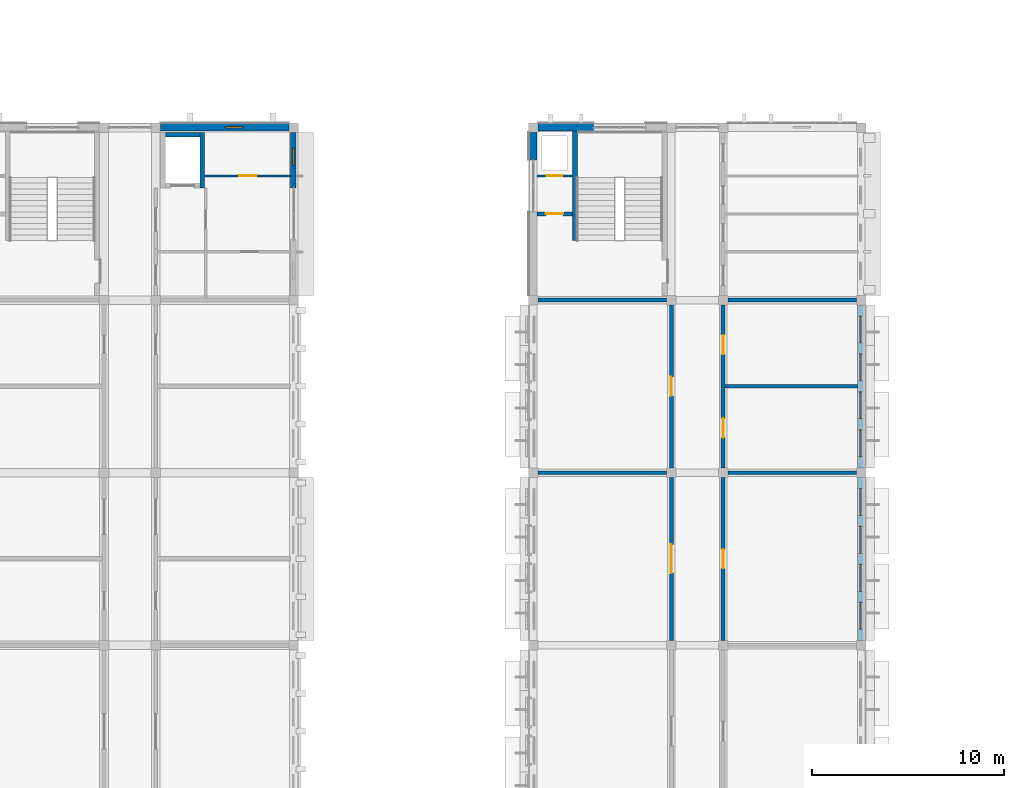
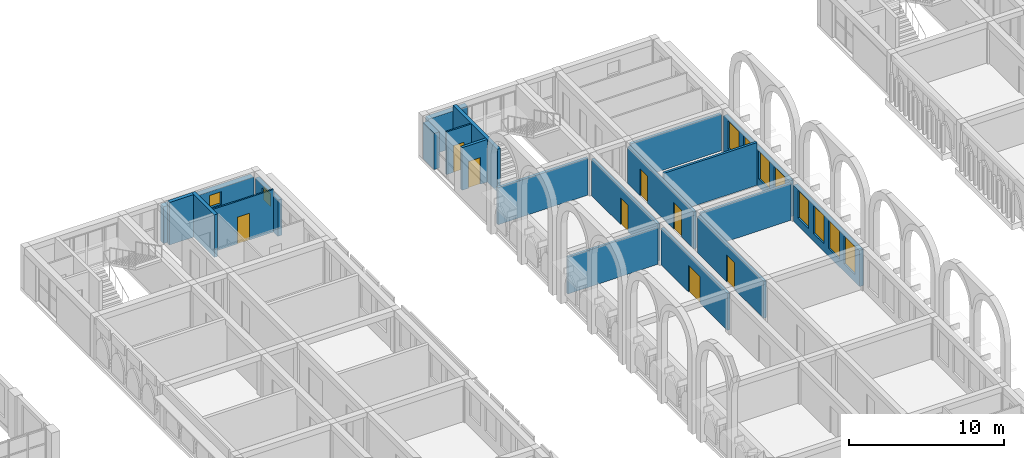
# One storey, part 41 of 70: 21 walls, 10 windows, 8 doors, 18 openings.
"""IFC4 building model written with IfcOpenShell, lengths in metres."""

from ifc_helpers import new_model, si_unit, direction, frame, frame_2d, origin, place, context, subcontext, project, spatial, rectangle, extrude, material, layer, layer_set, type_object, element, fill, save


model = new_model("IFC4")

# Units and contexts
model_context = context("Model", 3, precision=1e-05, world=origin(), true_north=direction((0.0, 1.0)))
body_context = subcontext(model_context, "Body", "Model", "MODEL_VIEW")
ifc_project = project(units=[si_unit("LENGTHUNIT", "METRE"), si_unit("AREAUNIT", "SQUARE_METRE"), si_unit("VOLUMEUNIT", "CUBIC_METRE"), si_unit("PLANEANGLEUNIT", "RADIAN"), si_unit("MASSUNIT", "GRAM", prefix="KILO")], contexts=[model_context])

# Site, building, storey
site_placement = place(None, origin())
site = spatial("IfcSite", under=ifc_project, at=site_placement, CompositionType="ELEMENT")
building_placement = place(site_placement, origin())
building = spatial("IfcBuilding", under=site, at=building_placement, Name="Elbe Cascade School", CompositionType="ELEMENT")
storey_placement = place(building_placement, frame((0.0, 0.0, 8.10009765625)))
storey = spatial("IfcBuildingStorey", under=building, at=storey_placement, Name="L02", CompositionType="ELEMENT", Elevation=8.10009765625)

# Walls
ifc_material_1 = material(Name="Masonry - lime-sand block, plastered", Category="masonry")
ifc_layer_1 = layer(ifc_material_1, 0.175048828125)
ifc_layer_set_1 = layer_set([ifc_layer_1], Name="Masonry - lime-sand block, plastered")
wall_type_1 = type_object("IfcWallType", Name="Bar classroom partition wall lime-sand block 175", PredefinedType="PARTITIONING", material=ifc_layer_set_1)
for number, where, z_axis, x_axis, name in (
    (1, (98.85009765625, 42.0, 0.0), (0.0, 0.0, 1.0), (1.0, 0.0, 0.0), "Bar classroom partition wall lime-sand block 175"),
    (2, (108.75, 42.0, 0.0), (0.0, 0.0, 1.0), (1.0, 0.0, 0.0), "Bar classroom partition wall lime-sand block 175"),
):
    element("IfcWall", number, at=place(storey_placement, frame(where, z_axis=z_axis, x_axis=x_axis)), inside=storey, type_object=wall_type_1, Name=name, PredefinedType="PARTITIONING", context=body_context, shape_type="SweptSolid", body=[
        extrude(rectangle(XDim=6.699951171875, YDim=0.175048828125, at=frame_2d((3.35009765625, 0.0))), origin(), (0.0, 0.0, 1.0), 2.89990234375),
    ])
wall_1_placement = place(storey_placement, frame((108.60009765625, 46.5, 0.0), z_axis=(0.0, 0.0, 1.0), x_axis=(1.0, 0.0, 0.0)))
element("IfcWall", 3, at=wall_1_placement, inside=storey, type_object=wall_type_1, Name="Bar classroom partition wall lime-sand block 175", PredefinedType="PARTITIONING", context=body_context, shape_type="SweptSolid", body=[
    extrude(rectangle(XDim=6.919921875, YDim=0.175048828125, at=frame_2d((3.4599609375, 0.0))), origin(), (0.0, 0.0, 1.0), 3.349853515625),
])

# Wall, opening, door
ifc_material_2 = material(Name="Masonry - lime-sand block, plastered", Category="masonry")
ifc_layer_2 = layer(ifc_material_2, 0.199951171875)
ifc_layer_set_2 = layer_set([ifc_layer_2], Name="Masonry - lime-sand block, plastered")
wall_type_2 = type_object("IfcWallType", Name="Bar corridor wall lime-sand block 200 EI 30", PredefinedType="PARTITIONING", material=ifc_layer_set_2)
wall_2_placement = place(storey_placement, frame((105.800048828125, 33.25, 0.0), z_axis=(0.0, 0.0, 1.0), x_axis=(0.0, 1.0, 0.0)))
wall_2 = element("IfcWall", 4, at=wall_2_placement, inside=storey, type_object=wall_type_2, Name="Bar corridor wall lime-sand block 200 EI 30", PredefinedType="PARTITIONING", context=body_context, shape_type="SweptSolid", body=[
    extrude(rectangle(XDim=8.5, YDim=0.199951171875, at=frame_2d((4.25, 0.0))), origin(), (0.0, 0.0, 1.0), 2.89990234375),
])
opening_1_placement = place(wall_2_placement, frame((3.5, 0.0, 0.0)))
opening_1 = element("IfcOpeningElement", 5, at=opening_1_placement, cuts=wall_2, Name="Opening D2.042", PredefinedType="OPENING", context=body_context, shape_type="SweptSolid", body=[
    extrude(rectangle(XDim=1.5, YDim=2.10009765625, at=frame_2d((0.75, 1.050048828125))), frame((0.0, 0.10986328125, 0.0), z_axis=(0.0, -1.0, 0.0), x_axis=(1.0, 0.0, 0.0)), (0.0, 0.0, 1.0), 0.219970703125),
])
ifc_material_3 = material(Name="Timber door leaves, fire-resisting, steel frame", Category="steel")
door_type_1 = type_object("IfcDoorType", Name="Bar door FD30 1500x2100", OperationType="NOTDEFINED", PredefinedType="DOOR", material=ifc_material_3)
door_1_placement = place(opening_1_placement, origin())
door_1 = element("IfcDoor", 6, at=door_1_placement, inside=storey, type_object=door_type_1, Name="Door B2.20b", OperationType="DOUBLE_DOOR_SINGLE_SWING", OverallHeight=2.10009765625, OverallWidth=1.5, PredefinedType="DOOR", context=body_context, shape_type="SweptSolid", body=[
    extrude(rectangle(XDim=1.5, YDim=2.10009765625, at=frame_2d((0.75, 1.050048828125))), frame((0.0, 0.02490234375, 0.0), z_axis=(0.0, -1.0, 0.0), x_axis=(1.0, 0.0, 0.0)), (0.0, 0.0, 1.0), 0.050048828125),
])
fill(opening_1, door_1)

wall_3_placement = place(storey_placement, frame((105.800048828125, 42.25, 0.0), z_axis=(0.0, 0.0, 1.0), x_axis=(0.0, 1.0, 0.0)))
wall_3 = element("IfcWall", 7, at=wall_3_placement, inside=storey, type_object=wall_type_2, Name="Bar corridor wall lime-sand block 200 EI 30", PredefinedType="PARTITIONING", context=body_context, shape_type="SweptSolid", body=[
    extrude(rectangle(XDim=8.5, YDim=0.199951171875, at=frame_2d((4.25, 0.0))), origin(), (0.0, 0.0, 1.0), 2.89990234375),
])
opening_2_placement = place(wall_3_placement, frame((3.75, 0.0, 0.0)))
opening_2 = element("IfcOpeningElement", 8, at=opening_2_placement, cuts=wall_3, Name="Opening D2.045", PredefinedType="OPENING", context=body_context, shape_type="SweptSolid", body=[
    extrude(rectangle(XDim=1.0, YDim=2.10009765625, at=frame_2d((0.5, 1.050048828125))), frame((0.0, 0.10986328125, 0.0), z_axis=(0.0, -1.0, 0.0), x_axis=(1.0, 0.0, 0.0)), (0.0, 0.0, 1.0), 0.219970703125),
])
ifc_material_4 = material(Name="Timber door leaf, fire-resisting, steel frame", Category="steel")
door_type_2 = type_object("IfcDoorType", Name="Bar door FD30 1000x2100", OperationType="NOTDEFINED", PredefinedType="DOOR", material=ifc_material_4)
door_2_placement = place(opening_2_placement, origin())
door_2 = element("IfcDoor", 9, at=door_2_placement, inside=storey, type_object=door_type_2, Name="Door B2.21", OperationType="SINGLE_SWING_RIGHT", OverallHeight=2.10009765625, OverallWidth=1.0, PredefinedType="DOOR", context=body_context, shape_type="SweptSolid", body=[
    extrude(rectangle(XDim=1.0, YDim=2.10009765625, at=frame_2d((0.5, 1.050048828125))), frame((0.0, 0.02490234375, 0.0), z_axis=(0.0, -1.0, 0.0), x_axis=(1.0, 0.0, 0.0)), (0.0, 0.0, 1.0), 0.050048828125),
])
fill(opening_2, door_2)

wall_4_placement = place(storey_placement, frame((108.5, 41.75, 0.0), z_axis=(0.0, 0.0, 1.0), x_axis=(0.0, -1.0, 0.0)))
wall_4 = element("IfcWall", 10, at=wall_4_placement, inside=storey, type_object=wall_type_2, Name="Bar corridor wall lime-sand block 200 EI 30", PredefinedType="PARTITIONING", context=body_context, shape_type="SweptSolid", body=[
    extrude(rectangle(XDim=8.5, YDim=0.199951171875, at=frame_2d((4.25, 0.0))), origin(), (0.0, 0.0, 1.0), 2.89990234375),
])
opening_3_placement = place(wall_4_placement, frame((3.75, 0.0, 0.0)))
opening_3 = element("IfcOpeningElement", 11, at=opening_3_placement, cuts=wall_4, Name="Opening D2.043", PredefinedType="OPENING", context=body_context, shape_type="SweptSolid", body=[
    extrude(rectangle(XDim=1.0, YDim=2.10009765625, at=frame_2d((0.5, 1.050048828125))), frame((0.0, 0.10986328125, 0.0), z_axis=(0.0, -1.0, 0.0), x_axis=(1.0, 0.0, 0.0)), (0.0, 0.0, 1.0), 0.219970703125),
])
door_3_placement = place(opening_3_placement, origin())
door_3 = element("IfcDoor", 12, at=door_3_placement, inside=storey, type_object=door_type_2, Name="Door B2.24", OperationType="SINGLE_SWING_LEFT", OverallHeight=2.10009765625, OverallWidth=1.0, PredefinedType="DOOR", context=body_context, shape_type="SweptSolid", body=[
    extrude(rectangle(XDim=1.0, YDim=2.10009765625, at=frame_2d((0.5, 1.050048828125))), frame((0.0, 0.02490234375, 0.0), z_axis=(0.0, -1.0, 0.0), x_axis=(1.0, 0.0, 0.0)), (0.0, 0.0, 1.0), 0.050048828125),
])
fill(opening_3, door_3)

# Wall, openings, doors
wall_5_placement = place(storey_placement, frame((108.5, 50.75, 0.0), z_axis=(0.0, 0.0, 1.0), x_axis=(0.0, -1.0, 0.0)))
wall_5 = element("IfcWall", 13, at=wall_5_placement, inside=storey, type_object=wall_type_2, Name="Bar corridor wall lime-sand block 200 EI 30", PredefinedType="PARTITIONING", context=body_context, shape_type="SweptSolid", body=[
    extrude(rectangle(XDim=8.5, YDim=0.199951171875, at=frame_2d((4.25, 0.0))), origin(), (0.0, 0.0, 1.0), 2.89990234375),
])
opening_4_placement = place(wall_5_placement, frame((5.918701171875, 0.0, 0.0)))
opening_4 = element("IfcOpeningElement", 14, at=opening_4_placement, cuts=wall_5, Name="Opening D2.044", PredefinedType="OPENING", context=body_context, shape_type="SweptSolid", body=[
    extrude(rectangle(XDim=1.0, YDim=2.10009765625, at=frame_2d((0.5, 1.050048828125))), frame((0.0, 0.10986328125, 0.0), z_axis=(0.0, -1.0, 0.0), x_axis=(1.0, 0.0, 0.0)), (0.0, 0.0, 1.0), 0.219970703125),
])
opening_5_placement = place(wall_5_placement, frame((1.581298828125, 0.0, 0.0)))
opening_5 = element("IfcOpeningElement", 15, at=opening_5_placement, cuts=wall_5, Name="Opening D2.046", PredefinedType="OPENING", context=body_context, shape_type="SweptSolid", body=[
    extrude(rectangle(XDim=1.0, YDim=2.10009765625, at=frame_2d((0.5, 1.050048828125))), frame((0.0, 0.10986328125, 0.0), z_axis=(0.0, -1.0, 0.0), x_axis=(1.0, 0.0, 0.0)), (0.0, 0.0, 1.0), 0.219970703125),
])
door_4_placement = place(opening_4_placement, origin())
door_4 = element("IfcDoor", 16, at=door_4_placement, inside=storey, type_object=door_type_2, Name="Door B2.25", OperationType="SINGLE_SWING_RIGHT", OverallHeight=2.10009765625, OverallWidth=1.0, PredefinedType="DOOR", context=body_context, shape_type="SweptSolid", body=[
    extrude(rectangle(XDim=1.0, YDim=2.10009765625, at=frame_2d((0.5, 1.050048828125))), frame((0.0, 0.02490234375, 0.0), z_axis=(0.0, -1.0, 0.0), x_axis=(1.0, 0.0, 0.0)), (0.0, 0.0, 1.0), 0.050048828125),
])
fill(opening_4, door_4)
door_5_placement = place(opening_5_placement, origin())
door_5 = element("IfcDoor", 17, at=door_5_placement, inside=storey, type_object=door_type_2, Name="Door B2.26", OperationType="SINGLE_SWING_LEFT", OverallHeight=2.10009765625, OverallWidth=1.0, PredefinedType="DOOR", context=body_context, shape_type="SweptSolid", body=[
    extrude(rectangle(XDim=1.0, YDim=2.10009765625, at=frame_2d((0.5, 1.050048828125))), frame((0.0, 0.02490234375, 0.0), z_axis=(0.0, -1.0, 0.0), x_axis=(1.0, 0.0, 0.0)), (0.0, 0.0, 1.0), 0.050048828125),
])
fill(opening_5, door_5)

# Wall, opening, door
ifc_material_5 = material(Name="Masonry - lime-sand block, plastered", Category="masonry")
ifc_layer_3 = layer(ifc_material_5, 0.114990234375)
ifc_layer_set_3 = layer_set([ifc_layer_3], Name="Masonry - lime-sand block, plastered")
wall_type_3 = type_object("IfcWallType", Name="Bar light partition wall lime-sand block 115", PredefinedType="PARTITIONING", material=ifc_layer_set_3)
wall_6_placement = place(storey_placement, frame((81.449951171875, 57.47998046875, 0.0), z_axis=(0.0, 0.0, 1.0), x_axis=(1.0, 0.0, 0.0)))
wall_6 = element("IfcWall", 18, at=wall_6_placement, inside=storey, type_object=wall_type_3, Name="Bar light partition wall lime-sand block 115", PredefinedType="PARTITIONING", context=body_context, shape_type="SweptSolid", body=[
    extrude(rectangle(XDim=4.5, YDim=0.114990234375, at=frame_2d((2.25, 0.0))), origin(), (0.0, 0.0, 1.0), 3.349853515625),
])
opening_6_placement = place(wall_6_placement, frame((1.800048828125, 0.0, 0.0)))
opening_6 = element("IfcOpeningElement", 19, at=opening_6_placement, cuts=wall_6, Name="Opening D2.028", PredefinedType="OPENING", context=body_context, shape_type="SweptSolid", body=[
    extrude(rectangle(XDim=0.89990234375, YDim=2.10009765625, at=frame_2d((0.449951171875, 1.050048828125))), frame((0.0, 0.0673828125, 0.0), z_axis=(0.0, -1.0, 0.0), x_axis=(1.0, 0.0, 0.0)), (0.0, 0.0, 1.0), 0.135009765625),
])
ifc_material_6 = material(Name="Timber door leaf, steel frame", Category="steel")
door_type_3 = type_object("IfcDoorType", Name="Bar door 900x2100", OperationType="NOTDEFINED", PredefinedType="DOOR", material=ifc_material_6)
door_6_placement = place(opening_6_placement, origin())
door_6 = element("IfcDoor", 20, at=door_6_placement, inside=storey, type_object=door_type_3, Name="Door A2.17", OperationType="SINGLE_SWING_LEFT", OverallHeight=2.10009765625, OverallWidth=0.89990234375, PredefinedType="DOOR", context=body_context, shape_type="SweptSolid", body=[
    extrude(rectangle(XDim=0.89990234375, YDim=2.10009765625, at=frame_2d((0.449951171875, 1.050048828125))), frame((0.0, 0.02490234375, 0.0), z_axis=(0.0, -1.0, 0.0), x_axis=(1.0, 0.0, 0.0)), (0.0, 0.0, 1.0), 0.050048828125),
])
fill(opening_6, door_6)

wall_7_placement = place(storey_placement, frame((98.780029296875, 57.47998046875, 0.0), z_axis=(0.0, 0.0, 1.0), x_axis=(1.0, 0.0, 0.0)))
wall_7 = element("IfcWall", 21, at=wall_7_placement, inside=storey, type_object=wall_type_3, Name="Bar light partition wall lime-sand block 115", PredefinedType="PARTITIONING", context=body_context, shape_type="SweptSolid", body=[
    extrude(rectangle(XDim=1.869873046875, YDim=0.114990234375, at=frame_2d((0.93505859375, 0.0))), origin(), (0.0, 0.0, 1.0), 3.349853515625),
])
opening_7_placement = place(wall_7_placement, frame((0.52001953125, 0.0, 0.0)))
opening_7 = element("IfcOpeningElement", 22, at=opening_7_placement, cuts=wall_7, Name="Opening D2.052", PredefinedType="OPENING", context=body_context, shape_type="SweptSolid", body=[
    extrude(rectangle(XDim=0.800048828125, YDim=2.10009765625, at=frame_2d((0.39990234375, 1.050048828125))), frame((0.0, 0.0673828125, 0.0), z_axis=(0.0, -1.0, 0.0), x_axis=(1.0, 0.0, 0.0)), (0.0, 0.0, 1.0), 0.135009765625),
])
ifc_material_7 = material(Name="Timber door leaf, steel frame", Category="steel")
door_type_4 = type_object("IfcDoorType", Name="Bar door 800x2100", OperationType="NOTDEFINED", PredefinedType="DOOR", material=ifc_material_7)
door_7_placement = place(opening_7_placement, origin())
door_7 = element("IfcDoor", 23, at=door_7_placement, inside=storey, type_object=door_type_4, Name="Door B2.14", OperationType="SINGLE_SWING_LEFT", OverallHeight=2.10009765625, OverallWidth=0.800048828125, PredefinedType="DOOR", context=body_context, shape_type="SweptSolid", body=[
    extrude(rectangle(XDim=0.800048828125, YDim=2.10009765625, at=frame_2d((0.39990234375, 1.050048828125))), frame((0.0, 0.02490234375, 0.0), z_axis=(0.0, -1.0, 0.0), x_axis=(1.0, 0.0, 0.0)), (0.0, 0.0, 1.0), 0.050048828125),
])
fill(opening_7, door_7)

# Walls
ifc_material_8 = material(Name="Masonry - lime-sand block, plastered", Category="masonry")
ifc_layer_4 = layer(ifc_material_8, 0.199951171875)
ifc_layer_set_4 = layer_set([ifc_layer_4], Name="Masonry - lime-sand block, plastered")
wall_type_4 = type_object("IfcWallType", Name="Bar partition wall lime-sand block 200", PredefinedType="PARTITIONING", material=ifc_layer_set_4)
wall_8_placement = place(storey_placement, frame((108.75, 51.0, 0.0), z_axis=(0.0, 0.0, 1.0), x_axis=(1.0, 0.0, 0.0)))
element("IfcWall", 24, at=wall_8_placement, inside=storey, type_object=wall_type_4, Name="Bar partition wall lime-sand block 200", PredefinedType="PARTITIONING", context=body_context, shape_type="SweptSolid", body=[
    extrude(rectangle(XDim=6.699951171875, YDim=0.199951171875, at=frame_2d((3.35009765625, 0.0))), origin(), (0.0, 0.0, 1.0), 2.89990234375),
])
ifc_material_9 = material(Name="Concrete C30/37", Category="concrete")
ifc_layer_5 = layer(ifc_material_9, 0.25)
ifc_layer_set_5 = layer_set([ifc_layer_5], Name="Concrete C30/37")
wall_type_5 = type_object("IfcWallType", Name="Bar stair core wall RC 250", PredefinedType="SOLIDWALL", material=ifc_layer_set_5)
wall_9_placement = place(storey_placement, frame((100.77490234375, 54.10009765625, 0.0), z_axis=(0.0, 0.0, 1.0), x_axis=(0.0, 1.0, 0.0)))
element("IfcWall", 25, at=wall_9_placement, inside=storey, type_object=wall_type_5, Name="Bar stair core wall RC 250", PredefinedType="SOLIDWALL", context=body_context, shape_type="SweptSolid", body=[
    extrude(rectangle(XDim=5.719970703125, YDim=0.25, at=frame_2d((2.85986328125, 0.0))), origin(), (0.0, 0.0, 1.0), 3.349853515625),
])

# Wall, opening, door
ifc_material_10 = material(Name="Concrete C30/37", Category="concrete")
ifc_layer_6 = layer(ifc_material_10, 0.199951171875)
ifc_layer_set_6 = layer_set([ifc_layer_6], Name="Concrete C30/37")
wall_type_6 = type_object("IfcWallType", Name="Bar stair lobby wall RC 200", PredefinedType="SOLIDWALL", material=ifc_layer_set_6)
wall_10_placement = place(storey_placement, frame((98.780029296875, 55.5, 0.0), z_axis=(0.0, 0.0, 1.0), x_axis=(1.0, 0.0, 0.0)))
wall_10 = element("IfcWall", 26, at=wall_10_placement, inside=storey, type_object=wall_type_6, Name="Bar stair lobby wall RC 200", PredefinedType="SOLIDWALL", context=body_context, shape_type="SweptSolid", body=[
    extrude(rectangle(XDim=1.869873046875, YDim=0.199951171875, at=frame_2d((0.93505859375, 0.0))), origin(), (0.0, 0.0, 1.0), 3.349853515625),
])
opening_8_placement = place(wall_10_placement, frame((0.469970703125, 0.0, 0.0)))
opening_8 = element("IfcOpeningElement", 27, at=opening_8_placement, cuts=wall_10, Name="Opening D2.050", PredefinedType="OPENING", context=body_context, shape_type="SweptSolid", body=[
    extrude(rectangle(XDim=0.89990234375, YDim=2.10009765625, at=frame_2d((0.449951171875, 1.050048828125))), frame((0.0, 0.10986328125, 0.0), z_axis=(0.0, -1.0, 0.0), x_axis=(1.0, 0.0, 0.0)), (0.0, 0.0, 1.0), 0.219970703125),
])
ifc_material_11 = material(Name="Timber door leaf, fire-resisting and smoke-tight, steel frame", Category="steel")
door_type_5 = type_object("IfcDoorType", Name="Bar door FD30S 900x2100", OperationType="NOTDEFINED", PredefinedType="DOOR", material=ifc_material_11)
door_8_placement = place(opening_8_placement, origin())
door_8 = element("IfcDoor", 28, at=door_8_placement, inside=storey, type_object=door_type_5, Name="Door B2.13", OperationType="SINGLE_SWING_RIGHT", OverallHeight=2.10009765625, OverallWidth=0.89990234375, PredefinedType="DOOR", context=body_context, shape_type="SweptSolid", body=[
    extrude(rectangle(XDim=0.89990234375, YDim=2.10009765625, at=frame_2d((0.449951171875, 1.050048828125))), frame((0.0, 0.02490234375, 0.0), z_axis=(0.0, -1.0, 0.0), x_axis=(1.0, 0.0, 0.0)), (0.0, 0.0, 1.0), 0.050048828125),
])
fill(opening_8, door_8)

# Wall
wall_11_placement = place(storey_placement, frame((98.85009765625, 51.0, 0.0), z_axis=(0.0, 0.0, 1.0), x_axis=(1.0, 0.0, 0.0)))
element("IfcWall", 29, at=wall_11_placement, inside=storey, type_object=wall_type_6, Name="Bar stair lobby wall RC 200", PredefinedType="SOLIDWALL", context=body_context, shape_type="SweptSolid", body=[
    extrude(rectangle(XDim=6.699951171875, YDim=0.199951171875, at=frame_2d((3.35009765625, 0.0))), origin(), (0.0, 0.0, 1.0), 2.89990234375),
])

# Wall, opening, window
ifc_material_12 = material(Name="Brick masonry - red clinker, cavity wall with render backing", Category="masonry")
ifc_layer_7 = layer(ifc_material_12, 0.300048828125)
ifc_layer_set_7 = layer_set([ifc_layer_7], Name="Brick masonry - red clinker, cavity wall with render backing")
wall_type_7 = type_object("IfcWallType", Name="Bars envelope External wall - clinker brick cavity, 300 upper floors", PredefinedType="STANDARD", material=ifc_layer_set_7)
wall_12_placement = place(storey_placement, frame((86.070068359375, 59.75, 0.0), z_axis=(0.0, 0.0, 1.0), x_axis=(0.0, -1.0, 0.0)))
wall_12 = element("IfcWall", 30, at=wall_12_placement, inside=storey, type_object=wall_type_7, Name="External wall W30 A.L02.e6b", PredefinedType="STANDARD", context=body_context, shape_type="SweptSolid", body=[
    extrude(rectangle(XDim=2.89990234375, YDim=0.300048828125, at=frame_2d((1.449951171875, 0.0))), origin(), (0.0, 0.0, 1.0), 2.849853515625),
])
opening_9_placement = place(wall_12_placement, frame((0.830078125, 0.0, 1.60009765625)))
opening_9 = element("IfcOpeningElement", 31, at=opening_9_placement, cuts=wall_12, Name="Opening W2.037", PredefinedType="OPENING", context=body_context, shape_type="SweptSolid", body=[
    extrude(rectangle(XDim=0.89990234375, YDim=1.0, at=frame_2d((0.449951171875, 0.5))), frame((0.0, 0.159912109375, 0.0), z_axis=(0.0, -1.0, 0.0), x_axis=(1.0, 0.0, 0.0)), (0.0, 0.0, 1.0), 0.320068359375),
])
ifc_material_13 = material(Name="Aluminium frame with double glazing, bronze anodised", Category="aluminium")
window_type_1 = type_object("IfcWindowType", Name="Bars envelope Window 900 x 1000, WC and service room, high level, aluminium double glazed", PartitioningType="SINGLE_PANEL", PredefinedType="WINDOW", material=ifc_material_13)
window_1_placement = place(opening_9_placement, origin())
window_1 = element("IfcWindow", 32, at=window_1_placement, inside=storey, type_object=window_type_1, Name="Window WN4 A.L02.e6b.1", OverallHeight=1.0, OverallWidth=0.89990234375, PartitioningType="SINGLE_PANEL", PredefinedType="WINDOW", context=body_context, shape_type="SweptSolid", body=[
    extrude(rectangle(XDim=0.89990234375, YDim=1.0, at=frame_2d((0.449951171875, 0.5))), frame((0.0, 0.030029296875, 0.0), z_axis=(0.0, -1.0, 0.0), x_axis=(1.0, 0.0, 0.0)), (0.0, 0.0, 1.0), 0.06005859375),
])
fill(opening_9, window_1)

# Wall, openings, windows
wall_13_placement = place(storey_placement, frame((115.669921875, 41.75, 0.0), z_axis=(0.0, 0.0, 1.0), x_axis=(0.0, -1.0, 0.0)))
wall_13 = element("IfcWall", 33, at=wall_13_placement, inside=storey, type_object=wall_type_7, Name="External wall W30 B.L02.e4", PredefinedType="STANDARD", context=body_context, shape_type="SweptSolid", body=[
    extrude(rectangle(XDim=8.5, YDim=0.300048828125, at=frame_2d((4.25, 0.0))), origin(), (0.0, 0.0, 1.0), 2.849853515625),
])
opening_10_placement = place(wall_13_placement, frame((6.52001953125, 0.0, 0.60009765625)))
opening_10 = element("IfcOpeningElement", 34, at=opening_10_placement, cuts=wall_13, Name="Opening W2.059", PredefinedType="OPENING", context=body_context, shape_type="SweptSolid", body=[
    extrude(rectangle(XDim=1.39990234375, YDim=2.199951171875, at=frame_2d((0.699951171875, 1.10009765625))), frame((0.0, 0.159912109375, 0.0), z_axis=(0.0, -1.0, 0.0), x_axis=(1.0, 0.0, 0.0)), (0.0, 0.0, 1.0), 0.320068359375),
])
opening_11_placement = place(wall_13_placement, frame((4.5400390625, 0.0, 0.60009765625)))
opening_11 = element("IfcOpeningElement", 35, at=opening_11_placement, cuts=wall_13, Name="Opening W2.061", PredefinedType="OPENING", context=body_context, shape_type="SweptSolid", body=[
    extrude(rectangle(XDim=1.39990234375, YDim=2.199951171875, at=frame_2d((0.699951171875, 1.10009765625))), frame((0.0, 0.159912109375, 0.0), z_axis=(0.0, -1.0, 0.0), x_axis=(1.0, 0.0, 0.0)), (0.0, 0.0, 1.0), 0.320068359375),
])
opening_12_placement = place(wall_13_placement, frame((2.56005859375, 0.0, 0.60009765625)))
opening_12 = element("IfcOpeningElement", 36, at=opening_12_placement, cuts=wall_13, Name="Opening W2.063", PredefinedType="OPENING", context=body_context, shape_type="SweptSolid", body=[
    extrude(rectangle(XDim=1.39990234375, YDim=2.199951171875, at=frame_2d((0.699951171875, 1.10009765625))), frame((0.0, 0.159912109375, 0.0), z_axis=(0.0, -1.0, 0.0), x_axis=(1.0, 0.0, 0.0)), (0.0, 0.0, 1.0), 0.320068359375),
])
opening_13_placement = place(wall_13_placement, frame((0.580078125, 0.0, 0.60009765625)))
opening_13 = element("IfcOpeningElement", 37, at=opening_13_placement, cuts=wall_13, Name="Opening W2.065", PredefinedType="OPENING", context=body_context, shape_type="SweptSolid", body=[
    extrude(rectangle(XDim=1.39990234375, YDim=2.199951171875, at=frame_2d((0.699951171875, 1.10009765625))), frame((0.0, 0.159912109375, 0.0), z_axis=(0.0, -1.0, 0.0), x_axis=(1.0, 0.0, 0.0)), (0.0, 0.0, 1.0), 0.320068359375),
])
ifc_material_14 = material(Name="Aluminium frame with double glazing, bronze anodised", Category="aluminium")
window_type_2 = type_object("IfcWindowType", Name="Bars envelope Window 1400 x 2200, classroom, aluminium double glazed", PartitioningType="DOUBLE_PANEL_VERTICAL", PredefinedType="WINDOW", material=ifc_material_14)
window_2_placement = place(opening_10_placement, origin())
window_2 = element("IfcWindow", 38, at=window_2_placement, inside=storey, type_object=window_type_2, Name="Window WN7 B.L02.e4.1", OverallHeight=2.199951171875, OverallWidth=1.39990234375, PartitioningType="DOUBLE_PANEL_VERTICAL", PredefinedType="WINDOW", context=body_context, shape_type="SweptSolid", body=[
    extrude(rectangle(XDim=1.39990234375, YDim=2.199951171875, at=frame_2d((0.699951171875, 1.10009765625))), frame((0.0, 0.030029296875, 0.0), z_axis=(0.0, -1.0, 0.0), x_axis=(1.0, 0.0, 0.0)), (0.0, 0.0, 1.0), 0.06005859375),
])
fill(opening_10, window_2)
window_3_placement = place(opening_11_placement, origin())
window_3 = element("IfcWindow", 39, at=window_3_placement, inside=storey, type_object=window_type_2, Name="Window WN7 B.L02.e4.2", OverallHeight=2.199951171875, OverallWidth=1.39990234375, PartitioningType="DOUBLE_PANEL_VERTICAL", PredefinedType="WINDOW", context=body_context, shape_type="SweptSolid", body=[
    extrude(rectangle(XDim=1.39990234375, YDim=2.199951171875, at=frame_2d((0.699951171875, 1.10009765625))), frame((0.0, 0.030029296875, 0.0), z_axis=(0.0, -1.0, 0.0), x_axis=(1.0, 0.0, 0.0)), (0.0, 0.0, 1.0), 0.06005859375),
])
fill(opening_11, window_3)
window_4_placement = place(opening_12_placement, origin())
window_4 = element("IfcWindow", 40, at=window_4_placement, inside=storey, type_object=window_type_2, Name="Window WN7 B.L02.e4.3", OverallHeight=2.199951171875, OverallWidth=1.39990234375, PartitioningType="DOUBLE_PANEL_VERTICAL", PredefinedType="WINDOW", context=body_context, shape_type="SweptSolid", body=[
    extrude(rectangle(XDim=1.39990234375, YDim=2.199951171875, at=frame_2d((0.699951171875, 1.10009765625))), frame((0.0, 0.030029296875, 0.0), z_axis=(0.0, -1.0, 0.0), x_axis=(1.0, 0.0, 0.0)), (0.0, 0.0, 1.0), 0.06005859375),
])
fill(opening_12, window_4)
window_5_placement = place(opening_13_placement, origin())
window_5 = element("IfcWindow", 41, at=window_5_placement, inside=storey, type_object=window_type_2, Name="Window WN7 B.L02.e4.4", OverallHeight=2.199951171875, OverallWidth=1.39990234375, PartitioningType="DOUBLE_PANEL_VERTICAL", PredefinedType="WINDOW", context=body_context, shape_type="SweptSolid", body=[
    extrude(rectangle(XDim=1.39990234375, YDim=2.199951171875, at=frame_2d((0.699951171875, 1.10009765625))), frame((0.0, 0.030029296875, 0.0), z_axis=(0.0, -1.0, 0.0), x_axis=(1.0, 0.0, 0.0)), (0.0, 0.0, 1.0), 0.06005859375),
])
fill(opening_13, window_5)

wall_14_placement = place(storey_placement, frame((115.669921875, 50.75, 0.0), z_axis=(0.0, 0.0, 1.0), x_axis=(0.0, -1.0, 0.0)))
wall_14 = element("IfcWall", 42, at=wall_14_placement, inside=storey, type_object=wall_type_7, Name="External wall W30 B.L02.e5", PredefinedType="STANDARD", context=body_context, shape_type="SweptSolid", body=[
    extrude(rectangle(XDim=8.5, YDim=0.300048828125, at=frame_2d((4.25, 0.0))), origin(), (0.0, 0.0, 1.0), 2.849853515625),
])
opening_14_placement = place(wall_14_placement, frame((6.52001953125, 0.0, 0.60009765625)))
opening_14 = element("IfcOpeningElement", 43, at=opening_14_placement, cuts=wall_14, Name="Opening W2.067", PredefinedType="OPENING", context=body_context, shape_type="SweptSolid", body=[
    extrude(rectangle(XDim=1.39990234375, YDim=2.199951171875, at=frame_2d((0.699951171875, 1.10009765625))), frame((0.0, 0.159912109375, 0.0), z_axis=(0.0, -1.0, 0.0), x_axis=(1.0, 0.0, 0.0)), (0.0, 0.0, 1.0), 0.320068359375),
])
opening_15_placement = place(wall_14_placement, frame((4.5400390625, 0.0, 0.60009765625)))
opening_15 = element("IfcOpeningElement", 44, at=opening_15_placement, cuts=wall_14, Name="Opening W2.069", PredefinedType="OPENING", context=body_context, shape_type="SweptSolid", body=[
    extrude(rectangle(XDim=1.39990234375, YDim=2.199951171875, at=frame_2d((0.699951171875, 1.10009765625))), frame((0.0, 0.159912109375, 0.0), z_axis=(0.0, -1.0, 0.0), x_axis=(1.0, 0.0, 0.0)), (0.0, 0.0, 1.0), 0.320068359375),
])
opening_16_placement = place(wall_14_placement, frame((2.56005859375, 0.0, 0.60009765625)))
opening_16 = element("IfcOpeningElement", 45, at=opening_16_placement, cuts=wall_14, Name="Opening W2.071", PredefinedType="OPENING", context=body_context, shape_type="SweptSolid", body=[
    extrude(rectangle(XDim=1.39990234375, YDim=2.199951171875, at=frame_2d((0.699951171875, 1.10009765625))), frame((0.0, 0.159912109375, 0.0), z_axis=(0.0, -1.0, 0.0), x_axis=(1.0, 0.0, 0.0)), (0.0, 0.0, 1.0), 0.320068359375),
])
opening_17_placement = place(wall_14_placement, frame((0.580078125, 0.0, 0.60009765625)))
opening_17 = element("IfcOpeningElement", 46, at=opening_17_placement, cuts=wall_14, Name="Opening W2.073", PredefinedType="OPENING", context=body_context, shape_type="SweptSolid", body=[
    extrude(rectangle(XDim=1.39990234375, YDim=2.199951171875, at=frame_2d((0.699951171875, 1.10009765625))), frame((0.0, 0.159912109375, 0.0), z_axis=(0.0, -1.0, 0.0), x_axis=(1.0, 0.0, 0.0)), (0.0, 0.0, 1.0), 0.320068359375),
])
window_6_placement = place(opening_14_placement, origin())
window_6 = element("IfcWindow", 47, at=window_6_placement, inside=storey, type_object=window_type_2, Name="Window WN7 B.L02.e5.1", OverallHeight=2.199951171875, OverallWidth=1.39990234375, PartitioningType="DOUBLE_PANEL_VERTICAL", PredefinedType="WINDOW", context=body_context, shape_type="SweptSolid", body=[
    extrude(rectangle(XDim=1.39990234375, YDim=2.199951171875, at=frame_2d((0.699951171875, 1.10009765625))), frame((0.0, 0.030029296875, 0.0), z_axis=(0.0, -1.0, 0.0), x_axis=(1.0, 0.0, 0.0)), (0.0, 0.0, 1.0), 0.06005859375),
])
fill(opening_14, window_6)
window_7_placement = place(opening_15_placement, origin())
window_7 = element("IfcWindow", 48, at=window_7_placement, inside=storey, type_object=window_type_2, Name="Window WN7 B.L02.e5.2", OverallHeight=2.199951171875, OverallWidth=1.39990234375, PartitioningType="DOUBLE_PANEL_VERTICAL", PredefinedType="WINDOW", context=body_context, shape_type="SweptSolid", body=[
    extrude(rectangle(XDim=1.39990234375, YDim=2.199951171875, at=frame_2d((0.699951171875, 1.10009765625))), frame((0.0, 0.030029296875, 0.0), z_axis=(0.0, -1.0, 0.0), x_axis=(1.0, 0.0, 0.0)), (0.0, 0.0, 1.0), 0.06005859375),
])
fill(opening_15, window_7)
window_8_placement = place(opening_16_placement, origin())
window_8 = element("IfcWindow", 49, at=window_8_placement, inside=storey, type_object=window_type_2, Name="Window WN7 B.L02.e5.3", OverallHeight=2.199951171875, OverallWidth=1.39990234375, PartitioningType="DOUBLE_PANEL_VERTICAL", PredefinedType="WINDOW", context=body_context, shape_type="SweptSolid", body=[
    extrude(rectangle(XDim=1.39990234375, YDim=2.199951171875, at=frame_2d((0.699951171875, 1.10009765625))), frame((0.0, 0.030029296875, 0.0), z_axis=(0.0, -1.0, 0.0), x_axis=(1.0, 0.0, 0.0)), (0.0, 0.0, 1.0), 0.06005859375),
])
fill(opening_16, window_8)
window_9_placement = place(opening_17_placement, origin())
window_9 = element("IfcWindow", 50, at=window_9_placement, inside=storey, type_object=window_type_2, Name="Window WN7 B.L02.e5.4", OverallHeight=2.199951171875, OverallWidth=1.39990234375, PartitioningType="DOUBLE_PANEL_VERTICAL", PredefinedType="WINDOW", context=body_context, shape_type="SweptSolid", body=[
    extrude(rectangle(XDim=1.39990234375, YDim=2.199951171875, at=frame_2d((0.699951171875, 1.10009765625))), frame((0.0, 0.030029296875, 0.0), z_axis=(0.0, -1.0, 0.0), x_axis=(1.0, 0.0, 0.0)), (0.0, 0.0, 1.0), 0.06005859375),
])
fill(opening_17, window_9)

# Wall, opening, window
ifc_material_15 = material(Name="Brick masonry - red clinker, solid, sandstone-faced", Category="masonry")
ifc_layer_8 = layer(ifc_material_15, 0.39990234375)
ifc_layer_set_8 = layer_set([ifc_layer_8], Name="Brick masonry - red clinker, solid, sandstone-faced")
wall_type_8 = type_object("IfcWallType", Name="Bars envelope External wall - solid masonry core strip, sandstone faced, 400", PredefinedType="STANDARD", material=ifc_layer_set_8)
wall_15_placement = place(storey_placement, frame((79.14990234375, 60.02001953125, 0.0), z_axis=(0.0, 0.0, 1.0), x_axis=(1.0, 0.0, 0.0)))
wall_15 = element("IfcWall", 51, at=wall_15_placement, inside=storey, type_object=wall_type_8, Name="External wall W31 A.L02.n3", PredefinedType="STANDARD", context=body_context, shape_type="SweptSolid", body=[
    extrude(rectangle(XDim=6.7001953125, YDim=0.39990234375, at=frame_2d((3.35009765625, 0.0))), origin(), (0.0, 0.0, 1.0), 2.89990234375),
])
opening_18_placement = place(wall_15_placement, frame((3.39990234375, 0.0, 1.60009765625)))
opening_18 = element("IfcOpeningElement", 52, at=opening_18_placement, cuts=wall_15, Name="Opening W2.038", PredefinedType="OPENING", context=body_context, shape_type="SweptSolid", body=[
    extrude(rectangle(XDim=0.89990234375, YDim=1.0, at=frame_2d((0.449951171875, 0.5))), frame((0.0, 0.2099609375, 0.0), z_axis=(0.0, -1.0, 0.0), x_axis=(1.0, 0.0, 0.0)), (0.0, 0.0, 1.0), 0.419921875),
])
window_10_placement = place(opening_18_placement, origin())
window_10 = element("IfcWindow", 53, at=window_10_placement, inside=storey, type_object=window_type_1, Name="Window WN4 A.L02.n3.1", OverallHeight=1.0, OverallWidth=0.89990234375, PartitioningType="SINGLE_PANEL", PredefinedType="WINDOW", context=body_context, shape_type="SweptSolid", body=[
    extrude(rectangle(XDim=0.89990234375, YDim=1.0, at=frame_2d((0.449951171875, 0.5))), frame((0.0, 0.030029296875, 0.0), z_axis=(0.0, -1.0, 0.0), x_axis=(1.0, 0.0, 0.0)), (0.0, 0.0, 1.0), 0.06005859375),
])
fill(opening_18, window_10)

# Walls
wall_16_placement = place(storey_placement, frame((98.580078125, 58.31005859375, 0.0), z_axis=(0.0, 0.0, 1.0), x_axis=(0.0, 1.0, 0.0)))
element("IfcWall", 54, at=wall_16_placement, inside=storey, type_object=wall_type_8, Name="External wall W31 B.L02.w6b", PredefinedType="STANDARD", context=body_context, shape_type="SweptSolid", body=[
    extrude(rectangle(XDim=1.43994140625, YDim=0.39990234375, at=frame_2d((0.719970703125, 0.0))), origin(), (0.0, 0.0, 1.0), 2.849853515625),
])
wall_17_placement = place(storey_placement, frame((98.85009765625, 60.02001953125, 0.0), z_axis=(0.0, 0.0, 1.0), x_axis=(1.0, 0.0, 0.0)))
element("IfcWall", 55, at=wall_17_placement, inside=storey, type_object=wall_type_8, Name="External wall W31 B.L02.n1a", PredefinedType="STANDARD", context=body_context, shape_type="SweptSolid", body=[
    extrude(rectangle(XDim=2.89990234375, YDim=0.39990234375, at=frame_2d((1.449951171875, 0.0))), origin(), (0.0, 0.0, 1.0), 2.89990234375),
])
ifc_material_16 = material(Name="Concrete C30/37", Category="concrete")
ifc_layer_9 = layer(ifc_material_16, 0.25)
ifc_layer_set_9 = layer_set([ifc_layer_9], Name="Concrete C30/37")
wall_type_9 = type_object("IfcWallType", Name="Shaft wall 250", PredefinedType="SHEAR", material=ifc_layer_set_9)
wall_18_placement = place(storey_placement, frame((81.324951171875, 56.85009765625, 0.0), z_axis=(0.0, 0.0, 1.0), x_axis=(0.0, 1.0, 0.0)))
element("IfcWall", 56, at=wall_18_placement, inside=storey, type_object=wall_type_9, Name="Shaft wall 250 W1", PredefinedType="SHEAR", context=body_context, shape_type="SweptSolid", body=[
    extrude(rectangle(XDim=2.89990234375, YDim=0.25, at=frame_2d((1.449951171875, 0.0))), origin(), (0.0, 0.0, 1.0), 3.349853515625),
])
wall_19_placement = place(storey_placement, frame((79.39990234375, 59.625, 0.0), z_axis=(0.0, 0.0, 1.0), x_axis=(1.0, 0.0, 0.0)))
element("IfcWall", 57, at=wall_19_placement, inside=storey, type_object=wall_type_9, Name="Shaft wall 250 W1", PredefinedType="SHEAR", context=body_context, shape_type="SweptSolid", body=[
    extrude(rectangle(XDim=1.800048828125, YDim=0.25, at=frame_2d((0.89990234375, 0.0))), origin(), (0.0, 0.0, 1.0), 3.349853515625),
])

save(model, "model.ifc")
